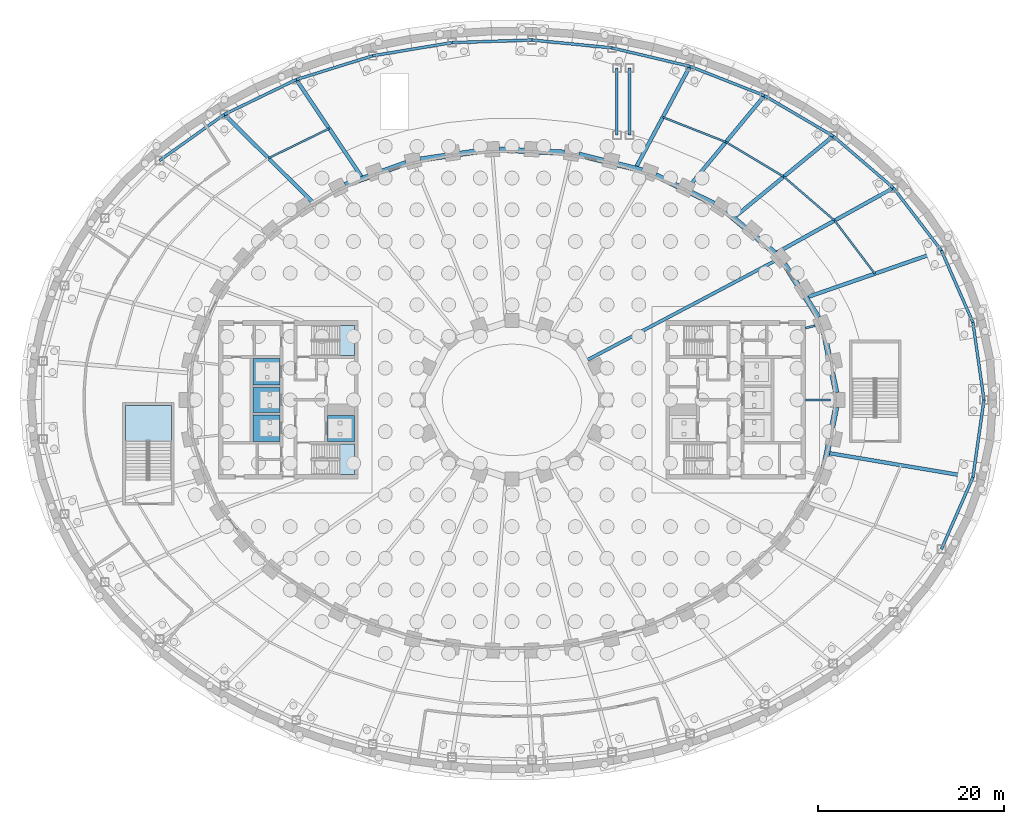
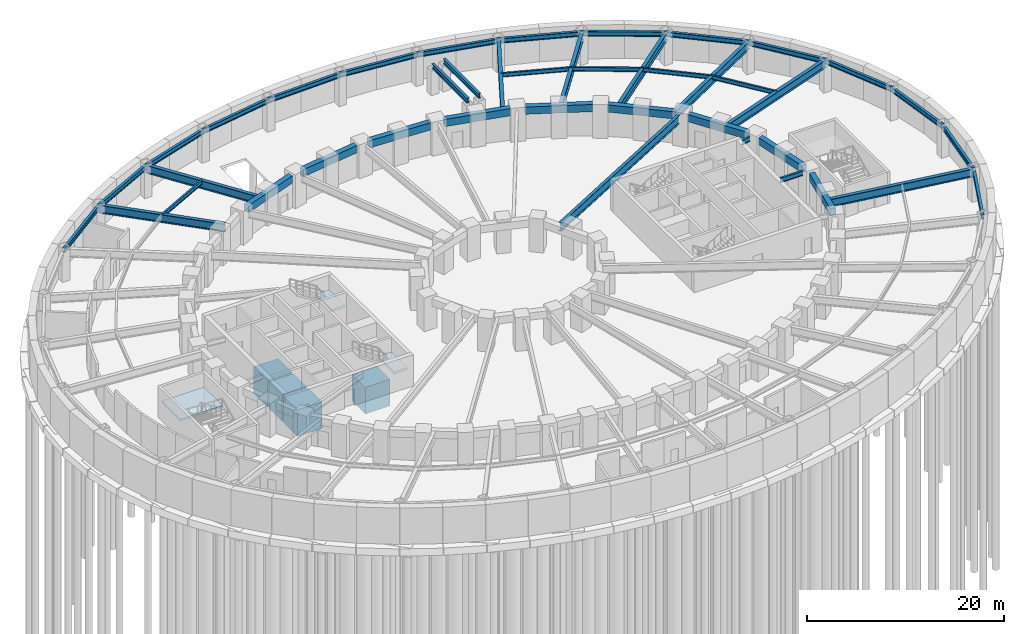
# One storey, part 8 of 19: 42 beams, 7 slabs, 3 elements without a shape of their own.
"""IFC4 building model written with IfcOpenShell, lengths in metres."""

from ifc_helpers import new_model, si_unit, direction, frame, origin, origin_2d, place, context, subcontext, project, spatial, polyline, rectangle, i_section, outline, extrude, material, layer, layer_set, material_profile, profile_set, type_object, element, aggregate, save


model = new_model("IFC4")

# Units and contexts
model_context = context("Model", 3, precision=1e-05, world=origin(), true_north=direction((0.0, 1.0)))
body_context = subcontext(model_context, "Body", "Model", "MODEL_VIEW")
ifc_project = project(units=[si_unit("LENGTHUNIT", "METRE"), si_unit("AREAUNIT", "SQUARE_METRE"), si_unit("VOLUMEUNIT", "CUBIC_METRE"), si_unit("PLANEANGLEUNIT", "RADIAN"), si_unit("MASSUNIT", "GRAM", prefix="KILO")], contexts=[model_context])

# Site, building, storey
site_placement = place(None, origin())
site = spatial("IfcSite", under=ifc_project, at=site_placement, CompositionType="ELEMENT")
building_placement = place(site_placement, origin())
building = spatial("IfcBuilding", under=site, at=building_placement, Name="Noorbagh Ring Tower", CompositionType="ELEMENT")
storey_placement = place(building_placement, frame((0.0, 0.0, -8.39990234375)))
storey = spatial("IfcBuildingStorey", under=building, at=storey_placement, Name="B2", CompositionType="ELEMENT", Elevation=-8.39990234375)

# Beams
ifc_material_1 = material(Name="Steel S355", Category="steel")
ifc_material_profile_1 = material_profile(ifc_material_1, i_section(OverallWidth=0.300048828125, OverallDepth=0.60009765625, WebThickness=0.015380859375, FlangeThickness=0.030029296875, FilletRadius=0.027099609375, at=origin_2d()), Name="HEB600")
ifc_profile_set_1 = profile_set([ifc_material_profile_1], Name="Steel S355")
beam_type_1 = type_object("IfcBeamType", Name="GND-EDGE-BEAM-HEB600", PredefinedType="BEAM", material=ifc_profile_set_1)
beam_1_placement = place(storey_placement, frame((50.646484375, 0.0, 3.599853515625), z_axis=(-0.14132764164, 0.989962876934, 0.0), x_axis=(-0.989962876934, -0.14132764164, 0.0)))
element("IfcBeam", 1, at=beam_1_placement, inside=storey, type_object=beam_type_1, Name="B2/bm/ERP-01", PredefinedType="BEAM", context=body_context, shape_type="SweptSolid", body=[
    extrude(i_section(OverallWidth=0.300048828125, OverallDepth=0.60009765625, WebThickness=0.015380859375, FlangeThickness=0.030029296875, FilletRadius=0.027099609375, at=origin_2d()), origin(), (0.0, 0.0, 1.0), 8.388671875),
])
beam_2_placement = place(storey_placement, frame((49.4609375, 8.304443359375, 3.599853515625), z_axis=(-0.401171506371, 0.916002959862, 0.0), x_axis=(-0.916002959862, -0.401171506371, 0.0)))
element("IfcBeam", 2, at=beam_2_placement, inside=storey, type_object=beam_type_1, Name="B2/bm/ERP-02", PredefinedType="BEAM", context=body_context, shape_type="SweptSolid", body=[
    extrude(i_section(OverallWidth=0.300048828125, OverallDepth=0.60009765625, WebThickness=0.015380859375, FlangeThickness=0.030029296875, FilletRadius=0.027099609375, at=origin_2d()), origin(), (0.0, 0.0, 1.0), 8.42431640625),
])
beam_3_placement = place(storey_placement, frame((46.081298828125, 16.021240234375, 3.599853515625), z_axis=(-0.608048680374, 0.793899743227, 0.0), x_axis=(-0.793899743227, -0.608048680374, 0.0)))
element("IfcBeam", 3, at=beam_3_placement, inside=storey, type_object=beam_type_1, Name="B2/bm/ERP-03", PredefinedType="BEAM", context=body_context, shape_type="SweptSolid", body=[
    extrude(i_section(OverallWidth=0.300048828125, OverallDepth=0.60009765625, WebThickness=0.015380859375, FlangeThickness=0.030029296875, FilletRadius=0.027099609375, at=origin_2d()), origin(), (0.0, 0.0, 1.0), 8.4755859375),
])
beam_4_placement = place(storey_placement, frame((40.927734375, 22.75, 3.599853515625), z_axis=(-0.758254861469, 0.651958254076, 0.0), x_axis=(-0.651958254076, -0.758254861469, 0.0)))
element("IfcBeam", 4, at=beam_4_placement, inside=storey, type_object=beam_type_1, Name="B2/bm/ERP-04", PredefinedType="BEAM", context=body_context, shape_type="SweptSolid", body=[
    extrude(i_section(OverallWidth=0.300048828125, OverallDepth=0.60009765625, WebThickness=0.015380859375, FlangeThickness=0.030029296875, FilletRadius=0.027099609375, at=origin_2d()), origin(), (0.0, 0.0, 1.0), 8.5234375),
])
beam_5_placement = place(storey_placement, frame((34.46484375, 28.306884765625, 3.599853515625), z_axis=(-0.8618652907, 0.507137279922, 0.0), x_axis=(-0.507137279922, -0.8618652907, 0.0)))
element("IfcBeam", 5, at=beam_5_placement, inside=storey, type_object=beam_type_1, Name="B2/bm/ERP-05", PredefinedType="BEAM", context=body_context, shape_type="SweptSolid", body=[
    extrude(i_section(OverallWidth=0.300048828125, OverallDepth=0.60009765625, WebThickness=0.015380859375, FlangeThickness=0.030029296875, FilletRadius=0.027099609375, at=origin_2d()), origin(), (0.0, 0.0, 1.0), 8.560302734375),
])
beam_6_placement = place(storey_placement, frame((27.0869140625, 32.648193359375, 3.599853515625), z_axis=(-0.930571668723, 0.366109777758, 0.0), x_axis=(-0.366109777758, -0.930571668723, 0.0)))
element("IfcBeam", 6, at=beam_6_placement, inside=storey, type_object=beam_type_1, Name="B2/bm/ERP-06", PredefinedType="BEAM", context=body_context, shape_type="SweptSolid", body=[
    extrude(i_section(OverallWidth=0.300048828125, OverallDepth=0.60009765625, WebThickness=0.015380859375, FlangeThickness=0.030029296875, FilletRadius=0.027099609375, at=origin_2d()), origin(), (0.0, 0.0, 1.0), 8.58642578125),
])
beam_7_placement = place(storey_placement, frame((19.0966796875, 35.791748046875, 3.599853515625), z_axis=(-0.973167977411, 0.230095822957, 0.0), x_axis=(-0.230095822957, -0.973167977411, 0.0)))
element("IfcBeam", 7, at=beam_7_placement, inside=storey, type_object=beam_type_1, Name="B2/bm/ERP-07", PredefinedType="BEAM", context=body_context, shape_type="SweptSolid", body=[
    extrude(i_section(OverallWidth=0.300048828125, OverallDepth=0.60009765625, WebThickness=0.015380859375, FlangeThickness=0.030029296875, FilletRadius=0.027099609375, at=origin_2d()), origin(), (0.0, 0.0, 1.0), 8.602783203125),
])
beam_8_placement = place(storey_placement, frame((10.724609375, 37.771240234375, 3.599853515625), z_axis=(-0.9951967317, 0.097895174616, 0.0), x_axis=(-0.097895174616, -0.9951967317, 0.0)))
element("IfcBeam", 8, at=beam_8_placement, inside=storey, type_object=beam_type_1, Name="B2/bm/ERP-08", PredefinedType="BEAM", context=body_context, shape_type="SweptSolid", body=[
    extrude(i_section(OverallWidth=0.300048828125, OverallDepth=0.60009765625, WebThickness=0.015380859375, FlangeThickness=0.030029296875, FilletRadius=0.027099609375, at=origin_2d()), origin(), (0.0, 0.0, 1.0), 8.611328125),
])
beam_9_placement = place(storey_placement, frame((2.154541015625, 38.6142578125, 3.599853515625), z_axis=(-0.999468589483, -0.032596604688, 0.0), x_axis=(0.032596604688, -0.999468589483, 0.0)))
element("IfcBeam", 9, at=beam_9_placement, inside=storey, type_object=beam_type_1, Name="B2/bm/ERP-09", PredefinedType="BEAM", context=body_context, shape_type="SweptSolid", body=[
    extrude(i_section(OverallWidth=0.300048828125, OverallDepth=0.60009765625, WebThickness=0.015380859375, FlangeThickness=0.030029296875, FilletRadius=0.027099609375, at=origin_2d()), origin(), (0.0, 0.0, 1.0), 8.61328125),
])
beam_10_placement = place(storey_placement, frame((-6.4541015625, 38.33349609375, 3.599853515625), z_axis=(-0.986523163949, -0.163621658075, 0.0), x_axis=(0.163621658075, -0.986523163949, 0.0)))
element("IfcBeam", 10, at=beam_10_placement, inside=storey, type_object=beam_type_1, Name="B2/bm/ERP-10", PredefinedType="BEAM", context=body_context, shape_type="SweptSolid", body=[
    extrude(i_section(OverallWidth=0.300048828125, OverallDepth=0.60009765625, WebThickness=0.015380859375, FlangeThickness=0.030029296875, FilletRadius=0.027099609375, at=origin_2d()), origin(), (0.0, 0.0, 1.0), 8.60791015625),
])
beam_11_placement = place(storey_placement, frame((-14.946044921875, 36.925048828125, 3.599853515625), z_axis=(-0.954717204091, -0.297514806713, 0.0), x_axis=(0.297514806713, -0.954717204091, 0.0)))
element("IfcBeam", 11, at=beam_11_placement, inside=storey, type_object=beam_type_1, Name="B2/bm/ERP-11", PredefinedType="BEAM", context=body_context, shape_type="SweptSolid", body=[
    extrude(i_section(OverallWidth=0.300048828125, OverallDepth=0.60009765625, WebThickness=0.015380859375, FlangeThickness=0.030029296875, FilletRadius=0.027099609375, at=origin_2d()), origin(), (0.0, 0.0, 1.0), 8.595703125),
])
beam_12_placement = place(storey_placement, frame((-23.152587890625, 34.36767578125, 3.599853515625), z_axis=(-0.89994920641, -0.435994754421, 0.0), x_axis=(0.435994754421, -0.89994920641, 0.0)))
element("IfcBeam", 12, at=beam_12_placement, inside=storey, type_object=beam_type_1, Name="B2/bm/ERP-12", PredefinedType="BEAM", context=body_context, shape_type="SweptSolid", body=[
    extrude(i_section(OverallWidth=0.300048828125, OverallDepth=0.60009765625, WebThickness=0.015380859375, FlangeThickness=0.030029296875, FilletRadius=0.027099609375, at=origin_2d()), origin(), (0.0, 0.0, 1.0), 8.57470703125),
])
beam_13_placement = place(storey_placement, frame((-30.869384765625, 30.629150390625, 3.599853515625), z_axis=(-0.815104059745, -0.579314570667, 0.0), x_axis=(0.579314570667, -0.815104059745, 0.0)))
element("IfcBeam", 13, at=beam_13_placement, inside=storey, type_object=beam_type_1, Name="B2/bm/ERP-13", PredefinedType="BEAM", context=body_context, shape_type="SweptSolid", body=[
    extrude(i_section(OverallWidth=0.300048828125, OverallDepth=0.60009765625, WebThickness=0.015380859375, FlangeThickness=0.030029296875, FilletRadius=0.027099609375, at=origin_2d()), origin(), (0.0, 0.0, 1.0), 8.543212890625),
])
beam_14_placement = place(storey_placement, frame((46.081298828125, -16.021240234375, 3.599853515625), z_axis=(0.401171506371, 0.916002959862, 0.0), x_axis=(-0.916002959862, 0.401171506371, 0.0)))
element("IfcBeam", 14, at=beam_14_placement, inside=storey, type_object=beam_type_1, Name="B2/bm/ERP-32", PredefinedType="BEAM", context=body_context, shape_type="SweptSolid", body=[
    extrude(i_section(OverallWidth=0.300048828125, OverallDepth=0.60009765625, WebThickness=0.015380859375, FlangeThickness=0.030029296875, FilletRadius=0.027099609375, at=origin_2d()), origin(), (0.0, 0.0, 1.0), 8.42431640625),
])
beam_15_placement = place(storey_placement, frame((49.4609375, -8.304443359375, 3.599853515625), z_axis=(0.14132764164, 0.989962876934, 0.0), x_axis=(-0.989962876934, 0.14132764164, 0.0)))
element("IfcBeam", 15, at=beam_15_placement, inside=storey, type_object=beam_type_1, Name="B2/bm/ERP-33", PredefinedType="BEAM", context=body_context, shape_type="SweptSolid", body=[
    extrude(i_section(OverallWidth=0.300048828125, OverallDepth=0.60009765625, WebThickness=0.015380859375, FlangeThickness=0.030029296875, FilletRadius=0.027099609375, at=origin_2d()), origin(), (0.0, 0.0, 1.0), 8.388671875),
])
for number, where, z_axis, x_axis, name in (
    (16, (12.60009765625, 28.39990234375, 3.46240234375), (0.0, 1.0, 0.0), (-1.0, 0.0, 0.0), "B2/bm/RPS-1"),
    (17, (11.25, 28.39990234375, 3.349853515625), (0.0, 1.0, 0.0), (-1.0, 0.0, 0.0), "B2/bm/RPS-2"),
):
    element("IfcBeam", number, at=place(storey_placement, frame(where, z_axis=z_axis, x_axis=x_axis)), inside=storey, type_object=beam_type_1, Name=name, PredefinedType="BEAM", context=body_context, shape_type="SweptSolid", body=[
        extrude(i_section(OverallWidth=0.300048828125, OverallDepth=0.60009765625, WebThickness=0.015380859375, FlangeThickness=0.030029296875, FilletRadius=0.027099609375, at=origin_2d()), origin(), (0.0, 0.0, 1.0), 7.2001953125),
    ])
ifc_material_2 = material(Name="Steel S355", Category="steel")
ifc_material_profile_2 = material_profile(ifc_material_2, i_section(OverallWidth=0.39990234375, OverallDepth=1.0, WebThickness=0.01611328125, FlangeThickness=0.0400390625, at=origin_2d()), Name="PG1000x400x16x40")
ifc_profile_set_2 = profile_set([ifc_material_profile_2], Name="Steel S355")
beam_type_2 = type_object("IfcBeamType", Name="GND-GIRDER-PG1000x400x16x40", PredefinedType="BEAM", material=ifc_profile_set_2)
beam_16_placement = place(storey_placement, frame((46.081298828125, 16.021240234375, 3.39990234375), z_axis=(-0.94453989429, -0.328396693185, 0.0), x_axis=(0.328396693185, -0.94453989429, 0.0)))
element("IfcBeam", 18, at=beam_16_placement, inside=storey, type_object=beam_type_2, Name="B2/bm/GRP-03", PredefinedType="BEAM", context=body_context, shape_type="SweptSolid", body=[
    extrude(i_section(OverallWidth=0.39990234375, OverallDepth=1.0, WebThickness=0.01611328125, FlangeThickness=0.0400390625, at=origin_2d()), origin(), (0.0, 0.0, 1.0), 15.12890625),
])
beam_17_placement = place(storey_placement, frame((40.927734375, 22.75, 3.39990234375), z_axis=(-0.874045637009, -0.485843827197, 0.0), x_axis=(0.485843827197, -0.874045637009, 0.0)))
element("IfcBeam", 19, at=beam_17_placement, inside=storey, type_object=beam_type_2, Name="B2/bm/GRP-04", PredefinedType="BEAM", context=body_context, shape_type="SweptSolid", body=[
    extrude(i_section(OverallWidth=0.39990234375, OverallDepth=1.0, WebThickness=0.01611328125, FlangeThickness=0.0400390625, at=origin_2d()), origin(), (0.0, 0.0, 1.0), 14.444580078125),
])
beam_18_placement = place(storey_placement, frame((34.46484375, 28.306884765625, 3.39990234375), z_axis=(-0.772763025599, -0.63469465593, 0.0), x_axis=(0.63469465593, -0.772763025599, 0.0)))
element("IfcBeam", 20, at=beam_18_placement, inside=storey, type_object=beam_type_2, Name="B2/bm/GRP-05", PredefinedType="BEAM", context=body_context, shape_type="SweptSolid", body=[
    extrude(i_section(OverallWidth=0.39990234375, OverallDepth=1.0, WebThickness=0.01611328125, FlangeThickness=0.0400390625, at=origin_2d()), origin(), (0.0, 0.0, 1.0), 13.723388671875),
])
beam_19_placement = place(storey_placement, frame((27.0869140625, 32.648193359375, 3.39990234375), z_axis=(-0.638516852805, -0.769607840841, 0.0), x_axis=(0.769607840841, -0.638516852805, 0.0)))
element("IfcBeam", 21, at=beam_19_placement, inside=storey, type_object=beam_type_2, Name="B2/bm/GRP-06", PredefinedType="BEAM", context=body_context, shape_type="SweptSolid", body=[
    extrude(i_section(OverallWidth=0.39990234375, OverallDepth=1.0, WebThickness=0.01611328125, FlangeThickness=0.0400390625, at=origin_2d()), origin(), (0.0, 0.0, 1.0), 12.943603515625),
])
beam_20_placement = place(storey_placement, frame((19.0966796875, 35.791748046875, 3.39990234375), z_axis=(-0.470746944877, -0.88226827773, 0.0), x_axis=(0.88226827773, -0.470746944877, 0.0)))
element("IfcBeam", 22, at=beam_20_placement, inside=storey, type_object=beam_type_2, Name="B2/bm/GRP-07", PredefinedType="BEAM", context=body_context, shape_type="SweptSolid", body=[
    extrude(i_section(OverallWidth=0.39990234375, OverallDepth=1.0, WebThickness=0.01611328125, FlangeThickness=0.0400390625, at=origin_2d()), origin(), (0.0, 0.0, 1.0), 12.375),
])
beam_21_placement = place(storey_placement, frame((-23.152587890625, 34.36767578125, 3.39990234375), z_axis=(0.558711358029, -0.829362175656, 0.0), x_axis=(0.829362175656, 0.558711358029, 0.0)))
element("IfcBeam", 23, at=beam_21_placement, inside=storey, type_object=beam_type_2, Name="B2/bm/GRP-12", PredefinedType="BEAM", context=body_context, shape_type="SweptSolid", body=[
    extrude(i_section(OverallWidth=0.39990234375, OverallDepth=1.0, WebThickness=0.01611328125, FlangeThickness=0.0400390625, at=origin_2d()), origin(), (0.0, 0.0, 1.0), 12.6630859375),
])
beam_22_placement = place(storey_placement, frame((-30.869384765625, 30.629150390625, 3.39990234375), z_axis=(0.70986613718, -0.704336615039, 0.0), x_axis=(0.704336615039, 0.70986613718, 0.0)))
element("IfcBeam", 24, at=beam_22_placement, inside=storey, type_object=beam_type_2, Name="B2/bm/GRP-13", PredefinedType="BEAM", context=body_context, shape_type="SweptSolid", body=[
    extrude(i_section(OverallWidth=0.39990234375, OverallDepth=1.0, WebThickness=0.01611328125, FlangeThickness=0.0400390625, at=origin_2d()), origin(), (0.0, 0.0, 1.0), 13.333984375),
])
beam_23_placement = place(storey_placement, frame((49.4609375, -8.304443359375, 3.39990234375), z_axis=(-0.986194768087, 0.165589490602, 0.0), x_axis=(-0.165589490602, -0.986194768087, 0.0)))
element("IfcBeam", 25, at=beam_23_placement, inside=storey, type_object=beam_type_2, Name="B2/bm/GRP-33", PredefinedType="BEAM", context=body_context, shape_type="SweptSolid", body=[
    extrude(i_section(OverallWidth=0.39990234375, OverallDepth=1.0, WebThickness=0.01611328125, FlangeThickness=0.0400390625, at=origin_2d()), origin(), (0.0, 0.0, 1.0), 15.62841796875),
])
ifc_material_3 = material(Name="Steel S355", Category="steel")
ifc_material_profile_3 = material_profile(ifc_material_3, i_section(OverallWidth=0.199951171875, OverallDepth=0.5, WebThickness=0.01025390625, FlangeThickness=0.01611328125, FilletRadius=0.02099609375, at=origin_2d()), Name="IPE500")
ifc_profile_set_3 = profile_set([ifc_material_profile_3], Name="Steel S355")
beam_type_3 = type_object("IfcBeamType", Name="GND-MID-BEAM-IPE500", PredefinedType="JOIST", material=ifc_profile_set_3)
beam_24_placement = place(storey_placement, frame((38.936279296875, 13.537109375, 3.64990234375), z_axis=(-0.603852432952, 0.79709612922, 0.0), x_axis=(-0.79709612922, -0.603852432952, 0.0)))
element("IfcBeam", 26, at=beam_24_placement, inside=storey, type_object=beam_type_3, Name="B2/bm/MRP-03", PredefinedType="JOIST", context=body_context, shape_type="SweptSolid", body=[
    extrude(i_section(OverallWidth=0.199951171875, OverallDepth=0.5, WebThickness=0.01025390625, FlangeThickness=0.01611328125, FilletRadius=0.02099609375, at=origin_2d()), origin(), (0.0, 0.0, 1.0), 7.15576171875),
])
beam_25_placement = place(storey_placement, frame((34.615234375, 19.240966796875, 3.64990234375), z_axis=(-0.756711012056, 0.653749527138, 0.0), x_axis=(-0.653749527138, -0.756711012056, 0.0)))
element("IfcBeam", 27, at=beam_25_placement, inside=storey, type_object=beam_type_3, Name="B2/bm/MRP-04", PredefinedType="JOIST", context=body_context, shape_type="SweptSolid", body=[
    extrude(i_section(OverallWidth=0.199951171875, OverallDepth=0.5, WebThickness=0.01025390625, FlangeThickness=0.01611328125, FilletRadius=0.02099609375, at=origin_2d()), origin(), (0.0, 0.0, 1.0), 7.2060546875),
])
beam_26_placement = place(storey_placement, frame((29.162353515625, 23.951904296875, 3.64990234375), z_axis=(-0.858046251749, 0.513572419293, 0.0), x_axis=(-0.513572419293, -0.858046251749, 0.0)))
element("IfcBeam", 28, at=beam_26_placement, inside=storey, type_object=beam_type_3, Name="B2/bm/MRP-05", PredefinedType="JOIST", context=body_context, shape_type="SweptSolid", body=[
    extrude(i_section(OverallWidth=0.199951171875, OverallDepth=0.5, WebThickness=0.01025390625, FlangeThickness=0.01611328125, FilletRadius=0.02099609375, at=origin_2d()), origin(), (0.0, 0.0, 1.0), 7.23486328125),
])
beam_27_placement = place(storey_placement, frame((22.95458984375, 27.66748046875, 3.64990234375), z_axis=(-0.930496782909, 0.36630006415, 0.0), x_axis=(-0.36630006415, -0.930496782909, 0.0)))
element("IfcBeam", 29, at=beam_27_placement, inside=storey, type_object=beam_type_3, Name="B2/bm/MRP-06", PredefinedType="JOIST", context=body_context, shape_type="SweptSolid", body=[
    extrude(i_section(OverallWidth=0.199951171875, OverallDepth=0.5, WebThickness=0.01025390625, FlangeThickness=0.01611328125, FilletRadius=0.02099609375, at=origin_2d()), origin(), (0.0, 0.0, 1.0), 7.276123046875),
])
beam_28_placement = place(storey_placement, frame((-19.614990234375, 29.11669921875, 3.64990234375), z_axis=(-0.898658812704, -0.438648308271, 0.0), x_axis=(0.438648308271, -0.898658812704, 0.0)))
element("IfcBeam", 30, at=beam_28_placement, inside=storey, type_object=beam_type_3, Name="B2/bm/MRP-12", PredefinedType="JOIST", context=body_context, shape_type="SweptSolid", body=[
    extrude(i_section(OverallWidth=0.199951171875, OverallDepth=0.5, WebThickness=0.01025390625, FlangeThickness=0.01611328125, FilletRadius=0.02099609375, at=origin_2d()), origin(), (0.0, 0.0, 1.0), 7.257080078125),
])
ifc_material_4 = material(Name="Steel S355", Category="steel")
ifc_material_profile_4 = material_profile(ifc_material_4, i_section(OverallWidth=0.219970703125, OverallDepth=0.60009765625, WebThickness=0.011962890625, FlangeThickness=0.01904296875, FilletRadius=0.02392578125, at=origin_2d()), Name="IPE600")
ifc_profile_set_4 = profile_set([ifc_material_profile_4], Name="Steel S355")
beam_type_4 = type_object("IfcBeamType", Name="STR-RAD-IPE600", PredefinedType="BEAM", material=ifc_profile_set_4)
beam_29_placement = place(storey_placement, frame((34.164794921875, 0.0, 3.599853515625), z_axis=(-1.0, 0.0, 0.0), x_axis=(0.0, -1.0, 0.0)))
element("IfcBeam", 31, at=beam_29_placement, inside=storey, type_object=beam_type_4, Name="B2/bm/RD01", PredefinedType="BEAM", context=body_context, shape_type="SweptSolid", body=[
    extrude(i_section(OverallWidth=0.219970703125, OverallDepth=0.60009765625, WebThickness=0.011962890625, FlangeThickness=0.01904296875, FilletRadius=0.02392578125, at=origin_2d()), origin(), (0.0, 0.0, 1.0), 2.684814453125),
])
beam_30_placement = place(storey_placement, frame((32.538818359375, 7.9619140625, 3.599853515625), z_axis=(-0.971330054052, -0.237734991315, 0.0), x_axis=(0.237734991315, -0.971330054052, 0.0)))
element("IfcBeam", 32, at=beam_30_placement, inside=storey, type_object=beam_type_4, Name="B2/bm/RD03", PredefinedType="BEAM", context=body_context, shape_type="SweptSolid", body=[
    extrude(i_section(OverallWidth=0.219970703125, OverallDepth=0.60009765625, WebThickness=0.011962890625, FlangeThickness=0.01904296875, FilletRadius=0.02392578125, at=origin_2d()), origin(), (0.0, 0.0, 1.0), 1.089599609375),
])
ifc_material_5 = material(Name="Steel S355", Category="steel")
ifc_material_profile_5 = material_profile(ifc_material_5, i_section(OverallWidth=0.35009765625, OverallDepth=1.050048828125, WebThickness=0.01806640625, FlangeThickness=0.033935546875, at=origin_2d()), Name="PG1050x350x18x34")
ifc_profile_set_5 = profile_set([ifc_material_profile_5], Name="Steel S355")
beam_type_5 = type_object("IfcBeamType", Name="STR-RAD-PG1050x350x18x34", PredefinedType="BEAM", material=ifc_profile_set_5)
beam_31_placement = place(storey_placement, frame((28.108642578125, 14.855224609375, 3.375), z_axis=(-0.884121906441, -0.467256304988, 0.0), x_axis=(0.467256304988, -0.884121906441, 0.0)))
element("IfcBeam", 33, at=beam_31_placement, inside=storey, type_object=beam_type_5, Name="B2/bm/RD05", PredefinedType="BEAM", context=body_context, shape_type="SweptSolid", body=[
    extrude(i_section(OverallWidth=0.35009765625, OverallDepth=1.050048828125, WebThickness=0.01806640625, FlangeThickness=0.033935546875, at=origin_2d()), origin(), (0.0, 0.0, 1.0), 22.601806640625),
])
ifc_material_6 = material(Name="Concrete C40/50", Category="concrete")
ifc_material_profile_6 = material_profile(ifc_material_6, rectangle(XDim=0.60009765625, YDim=0.89990234375, at=origin_2d()), Name="RC600x900")
ifc_profile_set_6 = profile_set([ifc_material_profile_6], Name="Concrete C40/50")
beam_type_6 = type_object("IfcBeamType", Name="STR-SB-RC600x900-C40-50", PredefinedType="BEAM", material=ifc_profile_set_6)
beam_32_placement = place(storey_placement, frame((34.78759765625, 0.7802734375, 3.449951171875), z_axis=(-0.197212569156, 0.980360751238, 0.0), x_axis=(-0.980360751238, -0.197212569156, 0.0)))
element("IfcBeam", 34, at=beam_32_placement, inside=storey, type_object=beam_type_6, Name="B2/bm/SP01", PredefinedType="BEAM", context=body_context, shape_type="SweptSolid", body=[
    extrude(rectangle(XDim=0.60009765625, YDim=0.89990234375, at=origin_2d()), origin(), (0.0, 0.0, 1.0), 6.72216796875),
])
beam_33_placement = place(storey_placement, frame((32.881103515625, 8.81884765625, 3.449951171875), z_axis=(-0.535204111644, 0.844722770428, 0.0), x_axis=(-0.844722770428, -0.535204111644, 0.0)))
element("IfcBeam", 35, at=beam_33_placement, inside=storey, type_object=beam_type_6, Name="B2/bm/SP03", PredefinedType="BEAM", context=body_context, shape_type="SweptSolid", body=[
    extrude(rectangle(XDim=0.60009765625, YDim=0.89990234375, at=origin_2d()), origin(), (0.0, 0.0, 1.0), 6.800048828125),
])
beam_34_placement = place(storey_placement, frame((28.21728515625, 15.739990234375, 3.449951171875), z_axis=(-0.763029833708, 0.646363266957, 0.0), x_axis=(-0.646363266957, -0.763029833708, 0.0)))
element("IfcBeam", 36, at=beam_34_placement, inside=storey, type_object=beam_type_6, Name="B2/bm/SP05", PredefinedType="BEAM", context=body_context, shape_type="SweptSolid", body=[
    extrude(rectangle(XDim=0.60009765625, YDim=0.89990234375, at=origin_2d()), origin(), (0.0, 0.0, 1.0), 6.886962890625),
])
beam_35_placement = place(storey_placement, frame((21.65625, 21.044921875, 3.449951171875), z_axis=(-0.898397301801, 0.439183661031, 0.0), x_axis=(-0.439183661031, -0.898397301801, 0.0)))
element("IfcBeam", 37, at=beam_35_placement, inside=storey, type_object=beam_type_6, Name="B2/bm/SP07", PredefinedType="BEAM", context=body_context, shape_type="SweptSolid", body=[
    extrude(rectangle(XDim=0.60009765625, YDim=0.89990234375, at=origin_2d()), origin(), (0.0, 0.0, 1.0), 6.947509765625),
])
beam_36_placement = place(storey_placement, frame((13.9482421875, 24.62890625, 3.449951171875), z_axis=(-0.970827667704, 0.239778313491, 0.0), x_axis=(-0.239778313491, -0.970827667704, 0.0)))
element("IfcBeam", 38, at=beam_36_placement, inside=storey, type_object=beam_type_6, Name="B2/bm/SP09", PredefinedType="BEAM", context=body_context, shape_type="SweptSolid", body=[
    extrude(rectangle(XDim=0.60009765625, YDim=0.89990234375, at=origin_2d()), origin(), (0.0, 0.0, 1.0), 6.981689453125),
])
beam_37_placement = place(storey_placement, frame((5.62646484375, 26.528076171875, 3.449951171875), z_axis=(-0.998867742854, 0.047573440964, 0.0), x_axis=(-0.047573440964, -0.998867742854, 0.0)))
element("IfcBeam", 39, at=beam_37_placement, inside=storey, type_object=beam_type_6, Name="B2/bm/SP11", PredefinedType="BEAM", context=body_context, shape_type="SweptSolid", body=[
    extrude(rectangle(XDim=0.60009765625, YDim=0.89990234375, at=origin_2d()), origin(), (0.0, 0.0, 1.0), 6.99462890625),
])
beam_38_placement = place(storey_placement, frame((-2.9189453125, 26.785888671875, 3.449951171875), z_axis=(-0.989714845194, -0.143054273623, 0.0), x_axis=(0.143054273623, -0.989714845194, 0.0)))
element("IfcBeam", 40, at=beam_38_placement, inside=storey, type_object=beam_type_6, Name="B2/bm/SP13", PredefinedType="BEAM", context=body_context, shape_type="SweptSolid", body=[
    extrude(rectangle(XDim=0.60009765625, YDim=0.89990234375, at=origin_2d()), origin(), (0.0, 0.0, 1.0), 6.990234375),
])
beam_39_placement = place(storey_placement, frame((-11.351318359375, 25.408203125, 3.449951171875), z_axis=(-0.941030272182, -0.338322371175, 0.0), x_axis=(0.338322371175, -0.941030272182, 0.0)))
element("IfcBeam", 41, at=beam_39_placement, inside=storey, type_object=beam_type_6, Name="B2/bm/SP15", PredefinedType="BEAM", context=body_context, shape_type="SweptSolid", body=[
    extrude(rectangle(XDim=0.60009765625, YDim=0.89990234375, at=origin_2d()), origin(), (0.0, 0.0, 1.0), 6.96728515625),
])
beam_40_placement = place(storey_placement, frame((33.4619140625, -7.370361328125, 3.449951171875), z_axis=(0.197212569156, 0.980360751238, 0.0), x_axis=(-0.980360751238, 0.197212569156, 0.0)))
element("IfcBeam", 42, at=beam_40_placement, inside=storey, type_object=beam_type_6, Name="B2/bm/SP45", PredefinedType="BEAM", context=body_context, shape_type="SweptSolid", body=[
    extrude(rectangle(XDim=0.60009765625, YDim=0.89990234375, at=origin_2d()), origin(), (0.0, 0.0, 1.0), 6.72216796875),
])

# Slabs
ifc_material_7 = material(Name="Concrete C40/50", Category="concrete")
ifc_layer_1 = layer(ifc_material_7, 3.300048828125)
ifc_layer_set_1 = layer_set([ifc_layer_1], Name="Concrete C40/50")
slab_type_1 = type_object("IfcSlabType", Name="CORE-PIT-SLAB-DEEP", PredefinedType="BASESLAB", material=ifc_layer_set_1)
slab_1_placement = place(storey_placement, frame((0.0, 0.0, -4.800048828125)))
element("IfcSlab", 43, at=slab_1_placement, inside=storey, type_object=slab_type_1, Name="Lift pit floor FF1", PredefinedType="BASESLAB", context=body_context, shape_type="SweptSolid", body=[
    extrude(outline(polyline([(-16.89990234375, -1.699951171875), (-19.800048828125, -1.699951171875), (-19.800048828125, -4.449951171875), (-16.89990234375, -4.449951171875), (-16.89990234375, -1.699951171875)])), origin(), (0.0, 0.0, 1.0), 3.300048828125),
])
slab_2_placement = place(storey_placement, frame((0.0, 0.0, -4.800048828125)))
element("IfcSlab", 44, at=slab_2_placement, inside=storey, type_object=slab_type_1, Name="Lift pit floor LR1", PredefinedType="BASESLAB", context=body_context, shape_type="SweptSolid", body=[
    extrude(outline(polyline([(-24.89990234375, -1.60009765625), (-27.800048828125, -1.60009765625), (-27.800048828125, -4.449951171875), (-24.89990234375, -4.449951171875), (-24.89990234375, -1.60009765625)])), origin(), (0.0, 0.0, 1.0), 3.300048828125),
])
slab_3_placement = place(storey_placement, frame((0.0, 0.0, -4.800048828125)))
element("IfcSlab", 45, at=slab_3_placement, inside=storey, type_object=slab_type_1, Name="Lift pit floor LR2", PredefinedType="BASESLAB", context=body_context, shape_type="SweptSolid", body=[
    extrude(outline(polyline([(-24.89990234375, 1.35009765625), (-27.800048828125, 1.35009765625), (-27.800048828125, -1.35009765625), (-24.89990234375, -1.35009765625), (-24.89990234375, 1.35009765625)])), origin(), (0.0, 0.0, 1.0), 3.300048828125),
])
slab_4_placement = place(storey_placement, frame((0.0, 0.0, -4.800048828125)))
element("IfcSlab", 46, at=slab_4_placement, inside=storey, type_object=slab_type_1, Name="Lift pit floor SV1", PredefinedType="BASESLAB", context=body_context, shape_type="SweptSolid", body=[
    extrude(outline(polyline([(-24.89990234375, 4.449951171875), (-27.800048828125, 4.449951171875), (-27.800048828125, 1.60009765625), (-24.89990234375, 1.60009765625), (-24.89990234375, 4.449951171875)])), origin(), (0.0, 0.0, 1.0), 3.300048828125),
])

# Stair, slab
ifc_material_8 = material(Name="Concrete C40/50", Category="concrete")
stair_type_1 = type_object("IfcStairType", Name="CORE-STAIR", PredefinedType="HALF_TURN_STAIR", material=ifc_material_8)
stair_1_placement = place(storey_placement, origin())
stair_1 = element("IfcStair", 47, at=stair_1_placement, inside=storey, type_object=stair_type_1, Name="B2 Exit stair ST1", PredefinedType="HALF_TURN_STAIR")
ifc_material_9 = material(Name="Concrete C40/50", Category="concrete")
ifc_layer_2 = layer(ifc_material_9, 0.300048828125)
ifc_layer_set_2 = layer_set([ifc_layer_2], Name="Concrete C40/50")
slab_type_2 = type_object("IfcSlabType", Name="CORE-STAIR-LANDING", PredefinedType="LANDING", material=ifc_layer_set_2)
slab_5_placement = place(storey_placement, frame((0.0, 0.0, 1.7998046875)))
slab_5 = element("IfcSlab", 48, at=slab_5_placement, type_object=slab_type_2, Name="ST1 landing 1", PredefinedType="LANDING", context=body_context, shape_type="SweptSolid", body=[
    extrude(outline(polyline([(-18.449951171875, 4.75), (-16.89990234375, 4.75), (-16.89990234375, 8.0), (-18.449951171875, 8.0), (-18.449951171875, 4.75)])), origin(), (0.0, 0.0, 1.0), 0.300048828125),
])
aggregate(stair_1, [slab_5])

stair_2_placement = place(storey_placement, origin())
stair_2 = element("IfcStair", 49, at=stair_2_placement, inside=storey, type_object=stair_type_1, Name="B2 Exit stair ST2", PredefinedType="HALF_TURN_STAIR")
slab_6_placement = place(storey_placement, frame((0.0, 0.0, 1.7998046875)))
slab_6 = element("IfcSlab", 50, at=slab_6_placement, type_object=slab_type_2, Name="ST2 landing 1", PredefinedType="LANDING", context=body_context, shape_type="SweptSolid", body=[
    extrude(outline(polyline([(-18.449951171875, -8.0), (-16.89990234375, -8.0), (-16.89990234375, -4.75), (-18.449951171875, -4.75), (-18.449951171875, -8.0)])), origin(), (0.0, 0.0, 1.0), 0.300048828125),
])
aggregate(stair_2, [slab_6])

ifc_material_10 = material(Name="Concrete C40/50", Category="concrete")
stair_type_2 = type_object("IfcStairType", Name="GND-STAIR", PredefinedType="HALF_TURN_STAIR", material=ifc_material_10)
stair_3_placement = place(storey_placement, origin())
stair_3 = element("IfcStair", 51, at=stair_3_placement, inside=storey, type_object=stair_type_2, Name="B2 exit stair ST-P1", PredefinedType="HALF_TURN_STAIR")
ifc_material_11 = material(Name="Concrete C40/50", Category="concrete")
ifc_layer_3 = layer(ifc_material_11, 0.25)
ifc_layer_set_3 = layer_set([ifc_layer_3], Name="Concrete C40/50")
slab_type_3 = type_object("IfcSlabType", Name="GND-STAIR-LANDING", PredefinedType="LANDING", material=ifc_layer_set_3)
slab_7_placement = place(storey_placement, frame((0.0, 0.0, 1.849853515625)))
slab_7 = element("IfcSlab", 52, at=slab_7_placement, type_object=slab_type_3, Name="ST-P1 landing 1", PredefinedType="LANDING", context=body_context, shape_type="SweptSolid", body=[
    extrude(outline(polyline([(-36.550048828125, -4.39990234375), (-36.550048828125, -0.60009765625), (-41.5, -0.60009765625), (-41.5, -4.39990234375), (-36.550048828125, -4.39990234375)])), origin(), (0.0, 0.0, 1.0), 0.25),
])
aggregate(stair_3, [slab_7])

save(model, "model.ifc")
